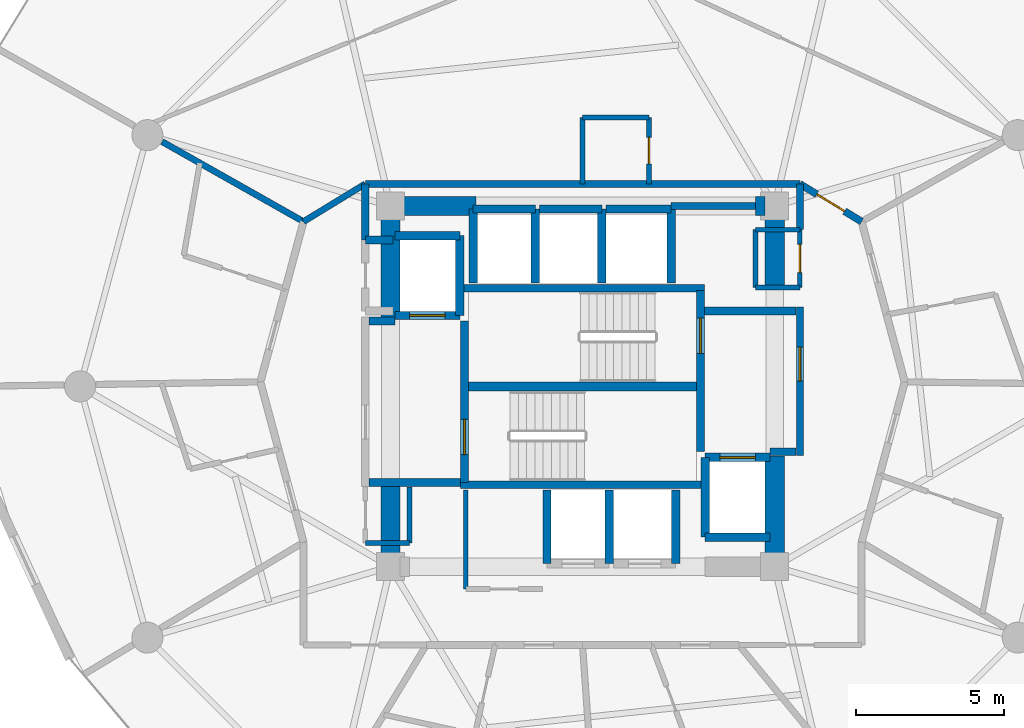
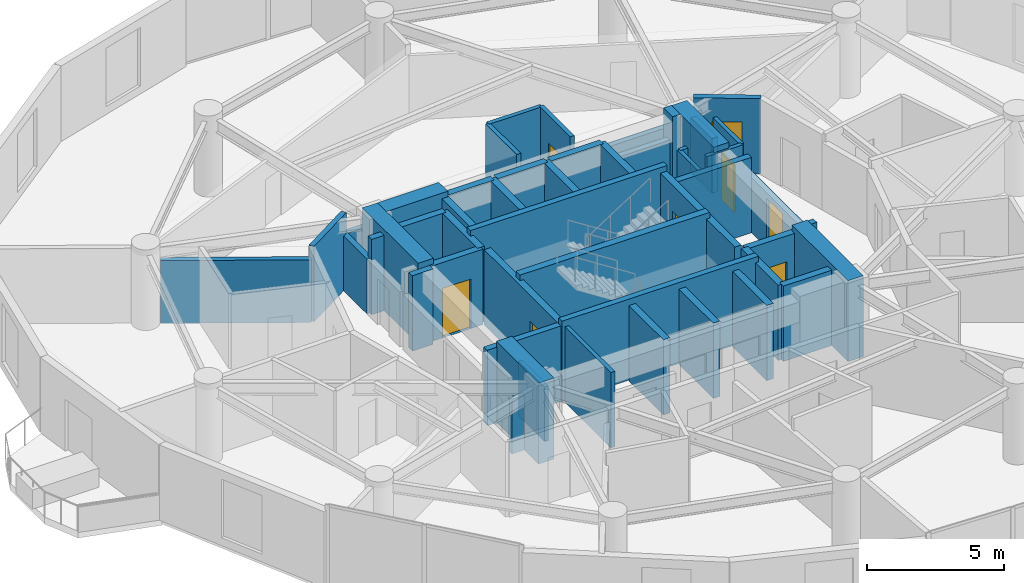
# One storey, part 19 of 23: 50 walls, 8 doors, 8 openings.
"""IFC4 building model written with IfcOpenShell, lengths in metres."""

from ifc_helpers import new_model, si_unit, direction, frame, frame_2d, origin, place, context, subcontext, project, spatial, rectangle, extrude, material, layer, layer_set, type_object, element, fill, save


model = new_model("IFC4")

# Units and contexts
model_context = context("Model", 3, precision=1e-05, world=origin(), true_north=direction((0.0, 1.0)))
body_context = subcontext(model_context, "Body", "Model", "MODEL_VIEW")
ifc_project = project(units=[si_unit("LENGTHUNIT", "METRE"), si_unit("AREAUNIT", "SQUARE_METRE"), si_unit("VOLUMEUNIT", "CUBIC_METRE"), si_unit("PLANEANGLEUNIT", "RADIAN"), si_unit("MASSUNIT", "GRAM", prefix="KILO")], contexts=[model_context])

# Site, building, storey
site_placement = place(None, origin())
site = spatial("IfcSite", under=ifc_project, at=site_placement, CompositionType="ELEMENT")
building_placement = place(site_placement, origin())
building = spatial("IfcBuilding", under=site, at=building_placement, Name="Solvirekh Grand Hotel", CompositionType="ELEMENT")
storey_placement = place(building_placement, frame((0.0, 0.0, 138.60009765625)))
storey = spatial("IfcBuildingStorey", under=building, at=storey_placement, Name="L35", CompositionType="ELEMENT", Elevation=138.60009765625)

# Walls
ifc_material_1 = material(Name="Concrete C50/60", Category="concrete")
ifc_layer_1 = layer(ifc_material_1, 0.35009765625)
ifc_layer_set_1 = layer_set([ifc_layer_1], Name="Concrete C50/60")
wall_type_1 = type_object("IfcWallType", Name="CoreDivWall_RC350", PredefinedType="SOLIDWALL", material=ifc_layer_set_1)
for number, where, z_axis, x_axis, name in (
    (1, (-4.1298828125, -3.324951171875, 0.0), (0.0, 0.0, 1.0), (1.0, 0.0, 0.0), "L35 core stair box wall ST-S"),
    (2, (-4.1298828125, 3.324951171875, 0.0), (0.0, 0.0, 1.0), (1.0, 0.0, 0.0), "L35 core stair box wall ST-N"),
):
    element("IfcWall", number, at=place(storey_placement, frame(where, z_axis=z_axis, x_axis=x_axis)), inside=storey, type_object=wall_type_1, Name=name, PredefinedType="SOLIDWALL", context=body_context, shape_type="SweptSolid", body=[
        extrude(rectangle(XDim=8.259765625, YDim=0.25, at=frame_2d((4.1298828125, 0.0))), origin(), (0.0, 0.0, 1.0), 3.599853515625),
    ])
ifc_material_2 = material(Name="Concrete C40/50", Category="concrete")
ifc_layer_2 = layer(ifc_material_2, 0.280029296875)
ifc_layer_set_2 = layer_set([ifc_layer_2], Name="Concrete C40/50")
wall_type_2 = type_object("IfcWallType", Name="CoreShaftWall_RC280", PredefinedType="SOLIDWALL", material=ifc_layer_set_2)
for number, where, z_axis, x_axis, name in (
    (3, (-1.199951171875, -3.5, 0.0), (0.0, 0.0, 1.0), (0.0, -1.0, 0.0), "L35 MP-1 hoistway W wall"),
    (4, (0.89990234375, -6.0, 0.0), (0.0, 0.0, 1.0), (0.0, 1.0, 0.0), "L35 MP-1 hoistway E wall"),
    (5, (3.14990234375, -6.0, 0.0), (0.0, 0.0, 1.0), (0.0, 1.0, 0.0), "L35 MP-2 hoistway E wall"),
):
    element("IfcWall", number, at=place(storey_placement, frame(where, z_axis=z_axis, x_axis=x_axis)), inside=storey, type_object=wall_type_2, Name=name, PredefinedType="SOLIDWALL", context=body_context, shape_type="SweptSolid", body=[
        extrude(rectangle(XDim=2.5, YDim=0.280029296875, at=frame_2d((1.25, 0.0))), origin(), (0.0, 0.0, 1.0), 3.349853515625),
    ])
wall_1_placement = place(storey_placement, frame((-1.60009765625, 6.0, 0.0), z_axis=(0.0, 0.0, 1.0), x_axis=(-1.0, 0.0, 0.0)))
element("IfcWall", 6, at=wall_1_placement, inside=storey, type_object=wall_type_2, Name="L35 HP-1 hoistway N wall", PredefinedType="SOLIDWALL", context=body_context, shape_type="SweptSolid", body=[
    extrude(rectangle(XDim=2.099853515625, YDim=0.280029296875, at=frame_2d((1.0498046875, 0.0))), origin(), (0.0, 0.0, 1.0), 3.349853515625),
])
for number, where, z_axis, x_axis, name in (
    (7, (-3.699951171875, 6.0, 0.0), (0.0, 0.0, 1.0), (0.0, -1.0, 0.0), "L35 HP-1 hoistway W wall"),
    (8, (-1.60009765625, 3.5, 0.0), (0.0, 0.0, 1.0), (0.0, 1.0, 0.0), "L35 HP-1 hoistway E wall"),
):
    element("IfcWall", number, at=place(storey_placement, frame(where, z_axis=z_axis, x_axis=x_axis)), inside=storey, type_object=wall_type_2, Name=name, PredefinedType="SOLIDWALL", context=body_context, shape_type="SweptSolid", body=[
        extrude(rectangle(XDim=2.5, YDim=0.280029296875, at=frame_2d((1.25, 0.0))), origin(), (0.0, 0.0, 1.0), 3.349853515625),
    ])
wall_2_placement = place(storey_placement, frame((0.64990234375, 6.0, 0.0), z_axis=(0.0, 0.0, 1.0), x_axis=(-1.0, 0.0, 0.0)))
element("IfcWall", 9, at=wall_2_placement, inside=storey, type_object=wall_type_2, Name="L35 HP-2 hoistway N wall", PredefinedType="SOLIDWALL", context=body_context, shape_type="SweptSolid", body=[
    extrude(rectangle(XDim=2.099853515625, YDim=0.280029296875, at=frame_2d((1.0498046875, 0.0))), origin(), (0.0, 0.0, 1.0), 3.349853515625),
])
wall_3_placement = place(storey_placement, frame((0.64990234375, 3.5, 0.0), z_axis=(0.0, 0.0, 1.0), x_axis=(0.0, 1.0, 0.0)))
element("IfcWall", 10, at=wall_3_placement, inside=storey, type_object=wall_type_2, Name="L35 HP-2 hoistway E wall", PredefinedType="SOLIDWALL", context=body_context, shape_type="SweptSolid", body=[
    extrude(rectangle(XDim=2.5, YDim=0.280029296875, at=frame_2d((1.25, 0.0))), origin(), (0.0, 0.0, 1.0), 3.349853515625),
])
wall_4_placement = place(storey_placement, frame((3.0, 6.0, 0.0), z_axis=(0.0, 0.0, 1.0), x_axis=(-1.0, 0.0, 0.0)))
element("IfcWall", 11, at=wall_4_placement, inside=storey, type_object=wall_type_2, Name="L35 EX-1 hoistway N wall", PredefinedType="SOLIDWALL", context=body_context, shape_type="SweptSolid", body=[
    extrude(rectangle(XDim=2.199951171875, YDim=0.280029296875, at=frame_2d((1.10009765625, 0.0))), origin(), (0.0, 0.0, 1.0), 3.349853515625),
])
wall_5_placement = place(storey_placement, frame((3.0, 3.5, 0.0), z_axis=(0.0, 0.0, 1.0), x_axis=(0.0, 1.0, 0.0)))
element("IfcWall", 12, at=wall_5_placement, inside=storey, type_object=wall_type_2, Name="L35 EX-1 hoistway E wall", PredefinedType="SOLIDWALL", context=body_context, shape_type="SweptSolid", body=[
    extrude(rectangle(XDim=2.5, YDim=0.280029296875, at=frame_2d((1.25, 0.0))), origin(), (0.0, 0.0, 1.0), 3.349853515625),
])

# Wall, opening, door
wall_6_placement = place(storey_placement, frame((-6.35009765625, 2.39990234375, 0.0), z_axis=(0.0, 0.0, 1.0), x_axis=(1.0, 0.0, 0.0)))
wall_6 = element("IfcWall", 13, at=wall_6_placement, inside=storey, type_object=wall_type_2, Name="L35 FL-1 hoistway S wall", PredefinedType="SOLIDWALL", context=body_context, shape_type="SweptSolid", body=[
    extrude(rectangle(XDim=2.2001953125, YDim=0.280029296875, at=frame_2d((1.10009765625, 0.0))), origin(), (0.0, 0.0, 1.0), 3.349853515625),
])
opening_1_placement = place(wall_6_placement, frame((0.5, 0.0, 0.0)))
opening_1 = element("IfcOpeningElement", 14, at=opening_1_placement, cuts=wall_6, Name="Opening LD02", PredefinedType="OPENING", context=body_context, shape_type="SweptSolid", body=[
    extrude(rectangle(XDim=1.199951171875, YDim=2.199951171875, at=frame_2d((0.60009765625, 1.10009765625))), frame((0.0, 0.14990234375, 0.0), z_axis=(0.0, -1.0, 0.0), x_axis=(1.0, 0.0, 0.0)), (0.0, 0.0, 1.0), 0.300048828125),
])
ifc_material_3 = material(Name="Fire-Rated Steel Door Assembly", Category="steel")
door_type_1 = type_object("IfcDoorType", Name="Door_LiftFF_1200X2200", OperationType="SLIDING_TO_LEFT", PredefinedType="DOOR", material=ifc_material_3)
door_1_placement = place(opening_1_placement, origin())
door_1 = element("IfcDoor", 15, at=door_1_placement, inside=storey, type_object=door_type_1, Name="L35 FL-1 sliding lift landing door", OperationType="SLIDING_TO_LEFT", OverallHeight=2.199951171875, OverallWidth=1.199951171875, PredefinedType="DOOR", context=body_context, shape_type="SweptSolid", body=[
    extrude(rectangle(XDim=1.199951171875, YDim=2.199951171875, at=frame_2d((0.60009765625, 1.10009765625))), frame((0.0, 0.02490234375, 0.0), z_axis=(0.0, -1.0, 0.0), x_axis=(1.0, 0.0, 0.0)), (0.0, 0.0, 1.0), 0.050048828125),
])
fill(opening_1, door_1)

# Walls
wall_7_placement = place(storey_placement, frame((-4.14990234375, 5.10009765625, 0.0), z_axis=(0.0, 0.0, 1.0), x_axis=(-1.0, 0.0, 0.0)))
element("IfcWall", 16, at=wall_7_placement, inside=storey, type_object=wall_type_2, Name="L35 FL-1 hoistway N wall", PredefinedType="SOLIDWALL", context=body_context, shape_type="SweptSolid", body=[
    extrude(rectangle(XDim=2.2001953125, YDim=0.280029296875, at=frame_2d((1.10009765625, 0.0))), origin(), (0.0, 0.0, 1.0), 3.349853515625),
])
wall_8_placement = place(storey_placement, frame((-4.14990234375, 2.39990234375, 0.0), z_axis=(0.0, 0.0, 1.0), x_axis=(0.0, 1.0, 0.0)))
element("IfcWall", 17, at=wall_8_placement, inside=storey, type_object=wall_type_2, Name="L35 FL-1 hoistway E wall", PredefinedType="SOLIDWALL", context=body_context, shape_type="SweptSolid", body=[
    extrude(rectangle(XDim=2.7001953125, YDim=0.280029296875, at=frame_2d((1.35009765625, 0.0))), origin(), (0.0, 0.0, 1.0), 3.349853515625),
])
wall_9_placement = place(storey_placement, frame((4.14990234375, -5.10009765625, 0.0), z_axis=(0.0, 0.0, 1.0), x_axis=(1.0, 0.0, 0.0)))
element("IfcWall", 18, at=wall_9_placement, inside=storey, type_object=wall_type_2, Name="L35 FL-2 hoistway S wall", PredefinedType="SOLIDWALL", context=body_context, shape_type="SweptSolid", body=[
    extrude(rectangle(XDim=2.2001953125, YDim=0.280029296875, at=frame_2d((1.10009765625, 0.0))), origin(), (0.0, 0.0, 1.0), 3.349853515625),
])

# Wall, opening, door
wall_10_placement = place(storey_placement, frame((6.35009765625, -2.39990234375, 0.0), z_axis=(0.0, 0.0, 1.0), x_axis=(-1.0, 0.0, 0.0)))
wall_10 = element("IfcWall", 19, at=wall_10_placement, inside=storey, type_object=wall_type_2, Name="L35 FL-2 hoistway N wall", PredefinedType="SOLIDWALL", context=body_context, shape_type="SweptSolid", body=[
    extrude(rectangle(XDim=2.2001953125, YDim=0.280029296875, at=frame_2d((1.10009765625, 0.0))), origin(), (0.0, 0.0, 1.0), 3.349853515625),
])
opening_2_placement = place(wall_10_placement, frame((0.5, 0.0, 0.0)))
opening_2 = element("IfcOpeningElement", 20, at=opening_2_placement, cuts=wall_10, Name="Opening LD02", PredefinedType="OPENING", context=body_context, shape_type="SweptSolid", body=[
    extrude(rectangle(XDim=1.199951171875, YDim=2.199951171875, at=frame_2d((0.60009765625, 1.10009765625))), frame((0.0, 0.14990234375, 0.0), z_axis=(0.0, -1.0, 0.0), x_axis=(1.0, 0.0, 0.0)), (0.0, 0.0, 1.0), 0.300048828125),
])
door_2_placement = place(opening_2_placement, origin())
door_2 = element("IfcDoor", 21, at=door_2_placement, inside=storey, type_object=door_type_1, Name="L35 FL-2 sliding lift landing door", OperationType="SLIDING_TO_LEFT", OverallHeight=2.199951171875, OverallWidth=1.199951171875, PredefinedType="DOOR", context=body_context, shape_type="SweptSolid", body=[
    extrude(rectangle(XDim=1.199951171875, YDim=2.199951171875, at=frame_2d((0.60009765625, 1.10009765625))), frame((0.0, 0.02490234375, 0.0), z_axis=(0.0, -1.0, 0.0), x_axis=(1.0, 0.0, 0.0)), (0.0, 0.0, 1.0), 0.050048828125),
])
fill(opening_2, door_2)

# Wall
wall_11_placement = place(storey_placement, frame((4.14990234375, -2.39990234375, 0.0), z_axis=(0.0, 0.0, 1.0), x_axis=(0.0, -1.0, 0.0)))
element("IfcWall", 22, at=wall_11_placement, inside=storey, type_object=wall_type_2, Name="L35 FL-2 hoistway W wall", PredefinedType="SOLIDWALL", context=body_context, shape_type="SweptSolid", body=[
    extrude(rectangle(XDim=2.7001953125, YDim=0.280029296875, at=frame_2d((1.35009765625, 0.0))), origin(), (0.0, 0.0, 1.0), 3.349853515625),
])

# Wall, opening, door
wall_12_placement = place(storey_placement, frame((-3.989990234375, -3.25, 0.0), z_axis=(0.0, 0.0, 1.0), x_axis=(0.0, 1.0, 0.0)))
wall_12 = element("IfcWall", 23, at=wall_12_placement, inside=storey, type_object=wall_type_2, Name="L35 west stair landing enclosure wall", PredefinedType="SOLIDWALL", context=body_context, shape_type="SweptSolid", body=[
    extrude(rectangle(XDim=5.4599609375, YDim=0.280029296875, at=frame_2d((2.72998046875, 0.0))), origin(), (0.0, 0.0, 1.0), 3.349853515625),
])
opening_3_placement = place(wall_12_placement, frame((0.93701171875, 0.0, 0.0)))
opening_3 = element("IfcOpeningElement", 24, at=opening_3_placement, cuts=wall_12, Name="Opening D05", PredefinedType="OPENING", context=body_context, shape_type="SweptSolid", body=[
    extrude(rectangle(XDim=1.199951171875, YDim=2.199951171875, at=frame_2d((0.60009765625, 1.10009765625))), frame((0.0, 0.14990234375, 0.0), z_axis=(0.0, -1.0, 0.0), x_axis=(1.0, 0.0, 0.0)), (0.0, 0.0, 1.0), 0.300048828125),
])
door_type_2 = type_object("IfcDoorType", Name="Door_StairCore_1200X2200", OperationType="NOTDEFINED", PredefinedType="DOOR", material=ifc_material_3)
door_3_placement = place(opening_3_placement, origin())
door_3 = element("IfcDoor", 25, at=door_3_placement, inside=storey, type_object=door_type_2, Name="L35 exit stair ST-1 fire door", OperationType="SINGLE_SWING_RIGHT", OverallHeight=2.199951171875, OverallWidth=1.199951171875, PredefinedType="DOOR", context=body_context, shape_type="SweptSolid", body=[
    extrude(rectangle(XDim=1.199951171875, YDim=2.199951171875, at=frame_2d((0.60009765625, 1.10009765625))), frame((0.0, 0.02490234375, 0.0), z_axis=(0.0, -1.0, 0.0), x_axis=(1.0, 0.0, 0.0)), (0.0, 0.0, 1.0), 0.050048828125),
])
fill(opening_3, door_3)

wall_13_placement = place(storey_placement, frame((3.989990234375, -2.2099609375, 0.0), z_axis=(0.0, 0.0, 1.0), x_axis=(0.0, 1.0, 0.0)))
wall_13 = element("IfcWall", 26, at=wall_13_placement, inside=storey, type_object=wall_type_2, Name="L35 east stair landing enclosure wall", PredefinedType="SOLIDWALL", context=body_context, shape_type="SweptSolid", body=[
    extrude(rectangle(XDim=5.4599609375, YDim=0.280029296875, at=frame_2d((2.72998046875, 0.0))), origin(), (0.0, 0.0, 1.0), 3.349853515625),
])
opening_4_placement = place(wall_13_placement, frame((3.322998046875, 0.0, 0.0)))
opening_4 = element("IfcOpeningElement", 27, at=opening_4_placement, cuts=wall_13, Name="Opening D05", PredefinedType="OPENING", context=body_context, shape_type="SweptSolid", body=[
    extrude(rectangle(XDim=1.199951171875, YDim=2.199951171875, at=frame_2d((0.60009765625, 1.10009765625))), frame((0.0, 0.14990234375, 0.0), z_axis=(0.0, -1.0, 0.0), x_axis=(1.0, 0.0, 0.0)), (0.0, 0.0, 1.0), 0.300048828125),
])
door_4_placement = place(opening_4_placement, origin())
door_4 = element("IfcDoor", 28, at=door_4_placement, inside=storey, type_object=door_type_2, Name="L35 exit stair ST-2 fire door", OperationType="SINGLE_SWING_LEFT", OverallHeight=2.199951171875, OverallWidth=1.199951171875, PredefinedType="DOOR", context=body_context, shape_type="SweptSolid", body=[
    extrude(rectangle(XDim=1.199951171875, YDim=2.199951171875, at=frame_2d((0.60009765625, 1.10009765625))), frame((0.0, 0.02490234375, 0.0), z_axis=(0.0, -1.0, 0.0), x_axis=(1.0, 0.0, 0.0)), (0.0, 0.0, 1.0), 0.050048828125),
])
fill(opening_4, door_4)

# Walls
ifc_layer_3 = layer(ifc_material_1, 0.64990234375)
ifc_layer_set_3 = layer_set([ifc_layer_3], Name="Concrete C50/60")
wall_type_3 = type_object("IfcWallType", Name="CoreWall_RC650", PredefinedType="SHEAR", material=ifc_layer_set_3)
wall_14_placement = place(storey_placement, frame((-3.989990234375, 0.0, 0.0), z_axis=(0.0, 0.0, 1.0), x_axis=(1.0, 0.0, 0.0)))
element("IfcWall", 29, at=wall_14_placement, inside=storey, type_object=wall_type_3, Name="L35 central stair-spine shear wall", PredefinedType="SHEAR", context=body_context, shape_type="SweptSolid", body=[
    extrude(rectangle(XDim=7.97998046875, YDim=0.300048828125, at=frame_2d((3.989990234375, 0.0))), origin(), (0.0, 0.0, 1.0), 3.599853515625),
])
wall_15_placement = place(storey_placement, frame((-6.175048828125, 6.10009765625, 0.0), z_axis=(0.0, 0.0, 1.0), x_axis=(1.0, 0.0, 0.0)))
element("IfcWall", 30, at=wall_15_placement, inside=storey, type_object=wall_type_3, Name="L35 core corner shear wall NW-N", PredefinedType="SHEAR", context=body_context, shape_type="SweptSolid", body=[
    extrude(rectangle(XDim=2.574951171875, YDim=0.64990234375, at=frame_2d((1.28759765625, 0.0))), origin(), (0.0, 0.0, 1.0), 3.599853515625),
])
wall_16_placement = place(storey_placement, frame((5.85009765625, 6.10009765625, 0.0), z_axis=(0.0, 0.0, 1.0), x_axis=(1.0, 0.0, 0.0)))
element("IfcWall", 31, at=wall_16_placement, inside=storey, type_object=wall_type_3, Name="L35 core corner shear wall NE-N", PredefinedType="SHEAR", context=body_context, shape_type="SweptSolid", body=[
    extrude(rectangle(XDim=0.324951171875, YDim=0.64990234375, at=frame_2d((0.16259765625, 0.0))), origin(), (0.0, 0.0, 1.0), 3.599853515625),
])
wall_17_placement = place(storey_placement, frame((-6.5, 2.35009765625, 0.0), z_axis=(0.0, 0.0, 1.0), x_axis=(0.0, 1.0, 0.0)))
element("IfcWall", 32, at=wall_17_placement, inside=storey, type_object=wall_type_3, Name="L35 core corner shear wall WN-W", PredefinedType="SHEAR", context=body_context, shape_type="SweptSolid", body=[
    extrude(rectangle(XDim=4.074951171875, YDim=0.64990234375, at=frame_2d((2.03759765625, 0.0))), origin(), (0.0, 0.0, 1.0), 3.599853515625),
])
wall_18_placement = place(storey_placement, frame((-6.5, -6.425048828125, 0.0), z_axis=(0.0, 0.0, 1.0), x_axis=(0.0, 1.0, 0.0)))
element("IfcWall", 33, at=wall_18_placement, inside=storey, type_object=wall_type_3, Name="L35 core corner shear wall WS-W", PredefinedType="SHEAR", context=body_context, shape_type="SweptSolid", body=[
    extrude(rectangle(XDim=3.074951171875, YDim=0.64990234375, at=frame_2d((1.53759765625, 0.0))), origin(), (0.0, 0.0, 1.0), 3.599853515625),
])
wall_19_placement = place(storey_placement, frame((6.5, -6.425048828125, 0.0), z_axis=(0.0, 0.0, 1.0), x_axis=(0.0, 1.0, 0.0)))
element("IfcWall", 34, at=wall_19_placement, inside=storey, type_object=wall_type_3, Name="L35 core corner shear wall ES-E", PredefinedType="SHEAR", context=body_context, shape_type="SweptSolid", body=[
    extrude(rectangle(XDim=4.074951171875, YDim=0.64990234375, at=frame_2d((2.03759765625, 0.0))), origin(), (0.0, 0.0, 1.0), 3.599853515625),
])
wall_20_placement = place(storey_placement, frame((6.5, 3.35009765625, 0.0), z_axis=(0.0, 0.0, 1.0), x_axis=(0.0, 1.0, 0.0)))
element("IfcWall", 35, at=wall_20_placement, inside=storey, type_object=wall_type_3, Name="L35 core corner shear wall EN-E", PredefinedType="SHEAR", context=body_context, shape_type="SweptSolid", body=[
    extrude(rectangle(XDim=3.074951171875, YDim=0.64990234375, at=frame_2d((1.53759765625, 0.0))), origin(), (0.0, 0.0, 1.0), 3.599853515625),
])
ifc_material_4 = material(Name="Acoustic Gypsum Partition Assembly")
ifc_layer_4 = layer(ifc_material_4, 0.1650390625)
ifc_layer_set_4 = layer_set([ifc_layer_4], Name="Acoustic Gypsum Partition Assembly")
wall_type_4 = type_object("IfcWallType", Name="Part_BOH_165", PredefinedType="PARTITIONING", material=ifc_layer_set_4)
wall_21_placement = place(storey_placement, frame((-7.35009765625, -5.300048828125, 0.0), z_axis=(0.0, 0.0, 1.0), x_axis=(1.0, 0.0, 0.0)))
element("IfcWall", 36, at=wall_21_placement, inside=storey, type_object=wall_type_4, Name="L35 L35 Butler Service Closet wall 1", PredefinedType="PARTITIONING", context=body_context, shape_type="SweptSolid", body=[
    extrude(rectangle(XDim=1.5, YDim=0.1650390625, at=frame_2d((0.75, 0.0))), origin(), (0.0, 0.0, 1.0), 2.434814453125),
])
wall_22_placement = place(storey_placement, frame((-5.85009765625, -5.300048828125, 0.0), z_axis=(0.0, 0.0, 1.0), x_axis=(0.0, 1.0, 0.0)))
element("IfcWall", 37, at=wall_22_placement, inside=storey, type_object=wall_type_4, Name="L35 L35 Butler Service Closet wall 2", PredefinedType="PARTITIONING", context=body_context, shape_type="SweptSolid", body=[
    extrude(rectangle(XDim=1.900146484375, YDim=0.1650390625, at=frame_2d((0.9501953125, 0.0))), origin(), (0.0, 0.0, 1.0), 2.434814453125),
])
wall_23_placement = place(storey_placement, frame((5.85009765625, 3.35009765625, 0.0), z_axis=(0.0, 0.0, 1.0), x_axis=(1.0, 0.0, 0.0)))
element("IfcWall", 38, at=wall_23_placement, inside=storey, type_object=wall_type_4, Name="L35 L35 Core Housekeeping Room wall 1", PredefinedType="PARTITIONING", context=body_context, shape_type="SweptSolid", body=[
    extrude(rectangle(XDim=1.5, YDim=0.1650390625, at=frame_2d((0.75, 0.0))), origin(), (0.0, 0.0, 1.0), 3.349853515625),
])

# Wall, opening, door
wall_24_placement = place(storey_placement, frame((7.35009765625, 3.35009765625, 0.0), z_axis=(0.0, 0.0, 1.0), x_axis=(0.0, 1.0, 0.0)))
wall_24 = element("IfcWall", 39, at=wall_24_placement, inside=storey, type_object=wall_type_4, Name="L35 L35 Core Housekeeping Room wall 2", PredefinedType="PARTITIONING", context=body_context, shape_type="SweptSolid", body=[
    extrude(rectangle(XDim=1.949951171875, YDim=0.1650390625, at=frame_2d((0.97509765625, 0.0))), origin(), (0.0, 0.0, 1.0), 3.349853515625),
])
opening_5_placement = place(wall_24_placement, frame((0.5, 0.0, 0.0)))
opening_5 = element("IfcOpeningElement", 40, at=opening_5_placement, cuts=wall_24, Name="Opening D10", PredefinedType="OPENING", context=body_context, shape_type="SweptSolid", body=[
    extrude(rectangle(XDim=0.949951171875, YDim=2.10009765625, at=frame_2d((0.47509765625, 1.050048828125))), frame((0.0, 0.092529296875, 0.0), z_axis=(0.0, -1.0, 0.0), x_axis=(1.0, 0.0, 0.0)), (0.0, 0.0, 1.0), 0.18505859375),
])
ifc_material_5 = material(Name="Anodized Bronze Aluminium 6063-T6", Category="aluminium")
door_type_3 = type_object("IfcDoorType", Name="Door_RoomInt_950X2100", OperationType="NOTDEFINED", PredefinedType="DOOR", material=ifc_material_5)
door_5_placement = place(opening_5_placement, origin())
door_5 = element("IfcDoor", 41, at=door_5_placement, inside=storey, type_object=door_type_3, Name="L35 L35 Core Housekeeping Room door", OperationType="SINGLE_SWING_RIGHT", OverallHeight=2.10009765625, OverallWidth=0.949951171875, PredefinedType="DOOR", context=body_context, shape_type="SweptSolid", body=[
    extrude(rectangle(XDim=0.949951171875, YDim=2.10009765625, at=frame_2d((0.47509765625, 1.050048828125))), frame((0.0, 0.02490234375, 0.0), z_axis=(0.0, -1.0, 0.0), x_axis=(1.0, 0.0, 0.0)), (0.0, 0.0, 1.0), 0.050048828125),
])
fill(opening_5, door_5)

# Walls
wall_25_placement = place(storey_placement, frame((7.35009765625, 5.300048828125, 0.0), z_axis=(0.0, 0.0, 1.0), x_axis=(-1.0, 0.0, 0.0)))
element("IfcWall", 42, at=wall_25_placement, inside=storey, type_object=wall_type_4, Name="L35 L35 Core Housekeeping Room wall 3", PredefinedType="PARTITIONING", context=body_context, shape_type="SweptSolid", body=[
    extrude(rectangle(XDim=1.5, YDim=0.1650390625, at=frame_2d((0.75, 0.0))), origin(), (0.0, 0.0, 1.0), 2.434814453125),
])
wall_26_placement = place(storey_placement, frame((5.85009765625, 5.300048828125, 0.0), z_axis=(0.0, 0.0, 1.0), x_axis=(0.0, -1.0, 0.0)))
element("IfcWall", 43, at=wall_26_placement, inside=storey, type_object=wall_type_4, Name="L35 L35 Core Housekeeping Room wall 4", PredefinedType="PARTITIONING", context=body_context, shape_type="SweptSolid", body=[
    extrude(rectangle(XDim=1.949951171875, YDim=0.1650390625, at=frame_2d((0.97509765625, 0.0))), origin(), (0.0, 0.0, 1.0), 2.434814453125),
])
wall_27_placement = place(storey_placement, frame((-3.949951171875, -3.5, 0.0), z_axis=(0.0, 0.0, 1.0), x_axis=(0.0, -1.0, 0.0)))
element("IfcWall", 44, at=wall_27_placement, inside=storey, type_object=wall_type_4, Name="L35 Mid-Zone Housekeeping Room wall 4", PredefinedType="PARTITIONING", context=body_context, shape_type="SweptSolid", body=[
    extrude(rectangle(XDim=3.35009765625, YDim=0.1650390625, at=frame_2d((1.675048828125, 0.0))), origin(), (0.0, 0.0, 1.0), 3.349853515625),
])

# Wall, opening, door
ifc_layer_5 = layer(ifc_material_4, 0.239990234375)
ifc_layer_set_5 = layer_set([ifc_layer_5], Name="Acoustic Gypsum Partition Assembly")
wall_type_5 = type_object("IfcWallType", Name="Part_Corridor_240", PredefinedType="PARTITIONING", material=ifc_layer_set_5)
wall_28_placement = place(storey_placement, frame((7.35009765625, -2.340087890625, 0.0), z_axis=(0.0, 0.0, 1.0), x_axis=(0.0, 1.0, 0.0)))
wall_28 = element("IfcWall", 45, at=wall_28_placement, inside=storey, type_object=wall_type_5, Name="L35 east firefighting lobby smoke screen wall", PredefinedType="PARTITIONING", context=body_context, shape_type="SweptSolid", body=[
    extrude(rectangle(XDim=5.02001953125, YDim=0.239990234375, at=frame_2d((2.510009765625, 0.0))), origin(), (0.0, 0.0, 1.0), 2.434814453125),
])
opening_6_placement = place(wall_28_placement, frame((2.514892578125, 0.0, 0.0)))
opening_6 = element("IfcOpeningElement", 46, at=opening_6_placement, cuts=wall_28, Name="Opening D06", PredefinedType="OPENING", context=body_context, shape_type="SweptSolid", body=[
    extrude(rectangle(XDim=1.14990234375, YDim=2.199951171875, at=frame_2d((0.574951171875, 1.10009765625))), frame((0.0, 0.1298828125, 0.0), z_axis=(0.0, -1.0, 0.0), x_axis=(1.0, 0.0, 0.0)), (0.0, 0.0, 1.0), 0.260009765625),
])
door_type_4 = type_object("IfcDoorType", Name="Door_FFLobby_1150X2200", OperationType="NOTDEFINED", PredefinedType="DOOR", material=ifc_material_3)
door_6_placement = place(opening_6_placement, origin())
door_6 = element("IfcDoor", 47, at=door_6_placement, inside=storey, type_object=door_type_4, Name="L35 east firefighting lobby smoke door", OperationType="SINGLE_SWING_LEFT", OverallHeight=2.199951171875, OverallWidth=1.14990234375, PredefinedType="DOOR", context=body_context, shape_type="SweptSolid", body=[
    extrude(rectangle(XDim=1.14990234375, YDim=2.199951171875, at=frame_2d((0.574951171875, 1.10009765625))), frame((0.0, 0.02490234375, 0.0), z_axis=(0.0, -1.0, 0.0), x_axis=(1.0, 0.0, 0.0)), (0.0, 0.0, 1.0), 0.050048828125),
])
fill(opening_6, door_6)

# Walls
wall_29_placement = place(storey_placement, frame((-7.35009765625, 6.85009765625, 0.0), z_axis=(0.0, 0.0, 1.0), x_axis=(1.0, 0.0, 0.0)))
element("IfcWall", 48, at=wall_29_placement, inside=storey, type_object=wall_type_5, Name="L35 north core backing partition", PredefinedType="PARTITIONING", context=body_context, shape_type="SweptSolid", body=[
    extrude(rectangle(XDim=14.7001953125, YDim=0.239990234375, at=frame_2d((7.35009765625, 0.0))), origin(), (0.0, 0.0, 1.0), 2.434814453125),
])
wall_30_placement = place(storey_placement, frame((-7.35009765625, 4.949951171875, 0.0), z_axis=(0.0, 0.0, 1.0), x_axis=(0.0, 1.0, 0.0)))
element("IfcWall", 49, at=wall_30_placement, inside=storey, type_object=wall_type_5, Name="L35 NW core cheek closure wall", PredefinedType="PARTITIONING", context=body_context, shape_type="SweptSolid", body=[
    extrude(rectangle(XDim=1.900146484375, YDim=0.239990234375, at=frame_2d((0.9501953125, 0.0))), origin(), (0.0, 0.0, 1.0), 2.434814453125),
])
wall_31_placement = place(storey_placement, frame((7.35009765625, 5.300048828125, 0.0), z_axis=(0.0, 0.0, 1.0), x_axis=(0.0, 1.0, 0.0)))
element("IfcWall", 50, at=wall_31_placement, inside=storey, type_object=wall_type_5, Name="L35 NE core cheek closure wall", PredefinedType="PARTITIONING", context=body_context, shape_type="SweptSolid", body=[
    extrude(rectangle(XDim=1.550048828125, YDim=0.239990234375, at=frame_2d((0.77490234375, 0.0))), origin(), (0.0, 0.0, 1.0), 2.434814453125),
])
wall_32_placement = place(storey_placement, frame((3.0, 6.10009765625, 0.0), z_axis=(0.0, 0.0, 1.0), x_axis=(1.0, 0.0, 0.0)))
element("IfcWall", 51, at=wall_32_placement, inside=storey, type_object=wall_type_5, Name="L35 north core shaft infill wall", PredefinedType="PARTITIONING", context=body_context, shape_type="SweptSolid", body=[
    extrude(rectangle(XDim=2.85009765625, YDim=0.239990234375, at=frame_2d((1.425048828125, 0.0))), origin(), (0.0, 0.0, 1.0), 2.434814453125),
])

# Wall, opening, door
wall_33_placement = place(storey_placement, frame((7.35009765625, 6.85009765625, 0.0), z_axis=(0.0, 0.0, 1.0), x_axis=(0.853641534933, -0.520860950579, 0.0)))
wall_33 = element("IfcWall", 52, at=wall_33_placement, inside=storey, type_object=wall_type_5, Name="L35 Panorama Suite 3701 Inner Suite Lounge entrance wall", PredefinedType="PARTITIONING", context=body_context, shape_type="SweptSolid", body=[
    extrude(rectangle(XDim=2.4482421875, YDim=0.239990234375, at=frame_2d((1.22412109375, 0.0))), origin(), (0.0, 0.0, 1.0), 3.349853515625),
])
opening_7_placement = place(wall_33_placement, frame((0.674072265625, 0.0, 0.0)))
opening_7 = element("IfcOpeningElement", 53, at=opening_7_placement, cuts=wall_33, Name="Opening D08", PredefinedType="OPENING", context=body_context, shape_type="SweptSolid", body=[
    extrude(rectangle(XDim=1.10009765625, YDim=2.300048828125, at=frame_2d((0.550048828125, 1.14990234375))), frame((0.0, 0.1298828125, 0.0), z_axis=(0.0, -1.0, 0.0), x_axis=(1.0, 0.0, 0.0)), (0.0, 0.0, 1.0), 0.260009765625),
])
door_type_5 = type_object("IfcDoorType", Name="Door_SuiteEntry_1100X2300", OperationType="NOTDEFINED", PredefinedType="DOOR", material=ifc_material_3)
door_7_placement = place(opening_7_placement, origin())
door_7 = element("IfcDoor", 54, at=door_7_placement, inside=storey, type_object=door_type_5, Name="L35 Panorama Suite 3701 Inner Suite Lounge entrance door", OperationType="SINGLE_SWING_LEFT", OverallHeight=2.300048828125, OverallWidth=1.10009765625, PredefinedType="DOOR", context=body_context, shape_type="SweptSolid", body=[
    extrude(rectangle(XDim=1.10009765625, YDim=2.300048828125, at=frame_2d((0.550048828125, 1.14990234375))), frame((0.0, 0.02490234375, 0.0), z_axis=(0.0, -1.0, 0.0), x_axis=(1.0, 0.0, 0.0)), (0.0, 0.0, 1.0), 0.050048828125),
])
fill(opening_7, door_7)

# Walls
ifc_layer_6 = layer(ifc_material_4, 0.260009765625)
ifc_layer_set_6 = layer_set([ifc_layer_6], Name="Acoustic Gypsum Partition Assembly")
wall_type_6 = type_object("IfcWallType", Name="Part_LobbyFF_260", PredefinedType="PARTITIONING", material=ifc_layer_set_6)
wall_34_placement = place(storey_placement, frame((-7.22509765625, -3.25, 0.0), z_axis=(0.0, 0.0, 1.0), x_axis=(1.0, 0.0, 0.0)))
element("IfcWall", 55, at=wall_34_placement, inside=storey, type_object=wall_type_6, Name="L35 west firefighting lobby south partition", PredefinedType="PARTITIONING", context=body_context, shape_type="SweptSolid", body=[
    extrude(rectangle(XDim=3.09521484375, YDim=0.260009765625, at=frame_2d((1.547607421875, 0.0))), origin(), (0.0, 0.0, 1.0), 3.349853515625),
])
for number, where, z_axis, x_axis, name in (
    (56, (-7.22509765625, 2.2099609375, 0.0), (0.0, 0.0, 1.0), (1.0, 0.0, 0.0), "L35 west firefighting lobby NW cheek"),
    (57, (6.35009765625, -2.2099609375, 0.0), (0.0, 0.0, 1.0), (1.0, 0.0, 0.0), "L35 east firefighting lobby SE cheek"),
):
    element("IfcWall", number, at=place(storey_placement, frame(where, z_axis=z_axis, x_axis=x_axis)), inside=storey, type_object=wall_type_6, Name=name, PredefinedType="PARTITIONING", context=body_context, shape_type="SweptSolid", body=[
        extrude(rectangle(XDim=0.875, YDim=0.260009765625, at=frame_2d((0.4375, 0.0))), origin(), (0.0, 0.0, 1.0), 3.349853515625),
    ])
wall_35_placement = place(storey_placement, frame((4.1298828125, 2.550048828125, 0.0), z_axis=(0.0, 0.0, 1.0), x_axis=(1.0, 0.0, 0.0)))
element("IfcWall", 58, at=wall_35_placement, inside=storey, type_object=wall_type_6, Name="L35 east firefighting lobby north partition", PredefinedType="PARTITIONING", context=body_context, shape_type="SweptSolid", body=[
    extrude(rectangle(XDim=3.09521484375, YDim=0.260009765625, at=frame_2d((1.547607421875, 0.0))), origin(), (0.0, 0.0, 1.0), 3.349853515625),
])
wall_36_placement = place(storey_placement, frame((-7.35009765625, 4.949951171875, 0.0), z_axis=(0.0, 0.0, 1.0), x_axis=(1.0, 0.0, 0.0)))
element("IfcWall", 59, at=wall_36_placement, inside=storey, type_object=wall_type_6, Name="L35 NW telecom metering cupboard north wall", PredefinedType="PARTITIONING", context=body_context, shape_type="SweptSolid", body=[
    extrude(rectangle(XDim=0.93017578125, YDim=0.260009765625, at=frame_2d((0.465087890625, 0.0))), origin(), (0.0, 0.0, 1.0), 3.349853515625),
])
ifc_layer_7 = layer(ifc_material_4, 0.2099609375)
ifc_layer_set_7 = layer_set([ifc_layer_7], Name="Acoustic Gypsum Partition Assembly")
wall_type_7 = type_object("IfcWallType", Name="Part_SuiteDemise_210", PredefinedType="PARTITIONING", material=ifc_layer_set_7)
wall_37_placement = place(storey_placement, frame((-9.43994140625, 5.574951171875, 0.0), z_axis=(0.0, 0.0, 1.0), x_axis=(-0.87056283872, 0.492057256668, 0.0)))
element("IfcWall", 60, at=wall_37_placement, inside=storey, type_object=wall_type_7, Name="L35 suite radial wall 6 (A)", PredefinedType="PARTITIONING", context=body_context, shape_type="SweptSolid", body=[
    extrude(rectangle(XDim=5.49560546875, YDim=0.2099609375, at=frame_2d((2.747802734375, 0.0))), origin(), (0.0, 0.0, 1.0), 2.791015625),
])
wall_38_placement = place(storey_placement, frame((-9.43994140625, 5.574951171875, 0.0), z_axis=(0.0, 0.0, 1.0), x_axis=(0.853641534933, 0.520860950579, 0.0)))
element("IfcWall", 61, at=wall_38_placement, inside=storey, type_object=wall_type_7, Name="L35 Panorama Suite 3701 Inner Suite Lounge dividing partition 1", PredefinedType="PARTITIONING", context=body_context, shape_type="SweptSolid", body=[
    extrude(rectangle(XDim=2.4482421875, YDim=0.2099609375, at=frame_2d((1.22412109375, 0.0))), origin(), (0.0, 0.0, 1.0), 3.349853515625),
])
ifc_layer_8 = layer(ifc_material_4, 0.175048828125)
ifc_layer_set_8 = layer_set([ifc_layer_8], Name="Acoustic Gypsum Partition Assembly")
wall_type_8 = type_object("IfcWallType", Name="Plumb_Ensuite_175", PredefinedType="PLUMBINGWALL", material=ifc_layer_set_8)
for number, where, z_axis, x_axis, name in (
    (62, (0.0, 9.10009765625, 0.0), (0.0, 0.0, 1.0), (1.0, 0.0, 0.0), "L35 En-suite Bathroom 3701 outer plumbing wall"),
    (63, (0.0, 9.10009765625, 0.0), (0.0, 0.0, 1.0), (0.0, -1.0, 0.0), "L35 En-suite Bathroom 3701 side plumbing wall"),
):
    element("IfcWall", number, at=place(storey_placement, frame(where, z_axis=z_axis, x_axis=x_axis)), inside=storey, type_object=wall_type_8, Name=name, PredefinedType="PLUMBINGWALL", context=body_context, shape_type="SweptSolid", body=[
        extrude(rectangle(XDim=2.25, YDim=0.175048828125, at=frame_2d((1.125, 0.0))), origin(), (0.0, 0.0, 1.0), 3.349853515625),
    ])

# Wall, opening, door
wall_39_placement = place(storey_placement, frame((2.25, 6.85009765625, 0.0), z_axis=(0.0, 0.0, 1.0), x_axis=(0.0, 1.0, 0.0)))
wall_39 = element("IfcWall", 64, at=wall_39_placement, inside=storey, type_object=wall_type_8, Name="L35 En-suite Bathroom 3701 entry plumbing wall", PredefinedType="PLUMBINGWALL", context=body_context, shape_type="SweptSolid", body=[
    extrude(rectangle(XDim=2.25, YDim=0.175048828125, at=frame_2d((1.125, 0.0))), origin(), (0.0, 0.0, 1.0), 3.349853515625),
])
opening_8_placement = place(wall_39_placement, frame((0.675048828125, 0.0, 0.0)))
opening_8 = element("IfcOpeningElement", 65, at=opening_8_placement, cuts=wall_39, Name="Opening D09", PredefinedType="OPENING", context=body_context, shape_type="SweptSolid", body=[
    extrude(rectangle(XDim=0.89990234375, YDim=2.10009765625, at=frame_2d((0.449951171875, 1.050048828125))), frame((0.0, 0.09765625, 0.0), z_axis=(0.0, -1.0, 0.0), x_axis=(1.0, 0.0, 0.0)), (0.0, 0.0, 1.0), 0.195068359375),
])
door_type_6 = type_object("IfcDoorType", Name="Door_Ensuite_900X2100", OperationType="NOTDEFINED", PredefinedType="DOOR", material=ifc_material_5)
door_8_placement = place(opening_8_placement, origin())
door_8 = element("IfcDoor", 66, at=door_8_placement, inside=storey, type_object=door_type_6, Name="L35 En-suite Bathroom 3701 door", OperationType="SINGLE_SWING_RIGHT", OverallHeight=2.10009765625, OverallWidth=0.89990234375, PredefinedType="DOOR", context=body_context, shape_type="SweptSolid", body=[
    extrude(rectangle(XDim=0.89990234375, YDim=2.10009765625, at=frame_2d((0.449951171875, 1.050048828125))), frame((0.0, 0.02490234375, 0.0), z_axis=(0.0, -1.0, 0.0), x_axis=(1.0, 0.0, 0.0)), (0.0, 0.0, 1.0), 0.050048828125),
])
fill(opening_8, door_8)

save(model, "model.ifc")
